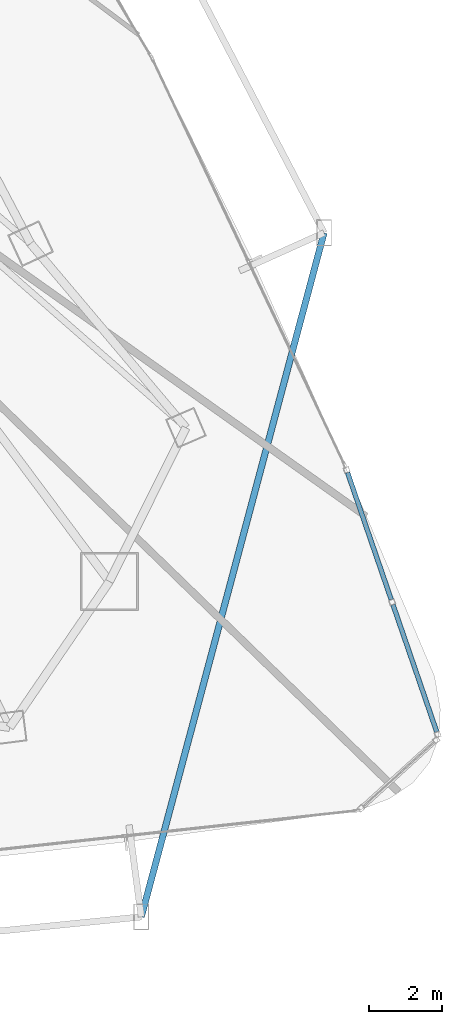
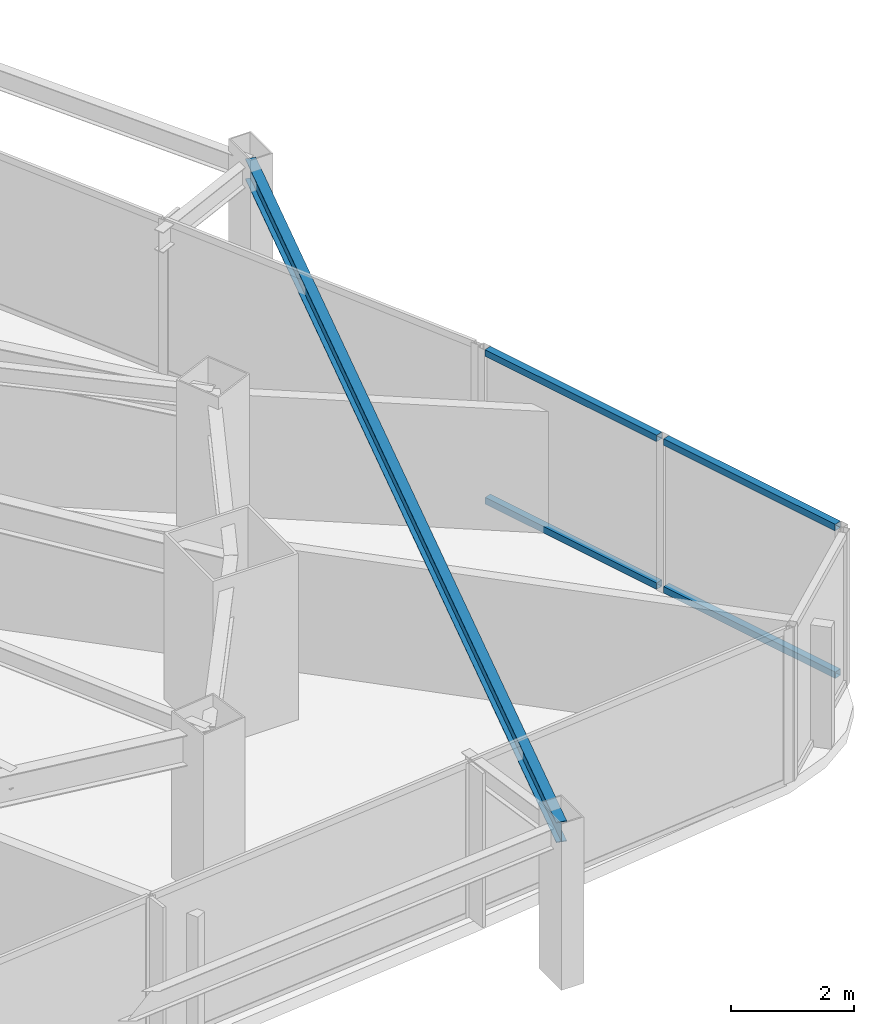
# One storey, part 15 of 34: 4 members, 1 beam, 1 element without a shape of its own.
"""IFC4 building model written with IfcOpenShell, lengths in metres."""

from ifc_helpers import new_model, si_unit, direction, frame, origin, origin_2d, place, context, subcontext, project, spatial, hollow_rectangle, i_section, extrude, material, layer, layer_set, material_profile, profile_set, type_object, element, aggregate, save


model = new_model("IFC4")

# Units and contexts
model_context = context("Model", 3, precision=1e-05, world=origin(), true_north=direction((0.0, 1.0)))
body_context = subcontext(model_context, "Body", "Model", "MODEL_VIEW")
ifc_project = project(units=[si_unit("LENGTHUNIT", "METRE"), si_unit("AREAUNIT", "SQUARE_METRE"), si_unit("VOLUMEUNIT", "CUBIC_METRE"), si_unit("PLANEANGLEUNIT", "RADIAN"), si_unit("MASSUNIT", "GRAM", prefix="KILO")], contexts=[model_context])

# Site, building, storey
site_placement = place(None, origin())
site = spatial("IfcSite", under=ifc_project, at=site_placement, CompositionType="ELEMENT")
building_placement = place(site_placement, origin())
building = spatial("IfcBuilding", under=site, at=building_placement, Name="Orvanel Arch Residences", CompositionType="ELEMENT")
storey_placement = place(building_placement, frame((0.0, 0.0, 64.25)))
storey = spatial("IfcBuildingStorey", under=building, at=storey_placement, Name="L17", CompositionType="ELEMENT", Elevation=64.25)

# Beam
ifc_material_1 = material(Name="Structural steel AS/NZS 3679.1 Grade 300 (300 MPa)", Category="steel")
ifc_material_profile_1 = material_profile(ifc_material_1, i_section(OverallWidth=0.177978515625, OverallDepth=0.406005859375, WebThickness=0.0078125, FlangeThickness=0.0126953125, at=origin_2d()), Name="410UB59.7")
ifc_profile_set_1 = profile_set([ifc_material_profile_1], Name="Structural steel AS/NZS 3679.1 Grade 300 (300 MPa)")
beam_type = type_object("IfcBeamType", Name="OB-410UB-EXT", PredefinedType="SPANDREL", material=ifc_profile_set_1)
beam_placement = place(storey_placement, frame((52.677978515625, 1.12890625, 2.85693359375), z_axis=(0.258088761653, 0.966121209325, 0.0), x_axis=(-0.966121209325, 0.258088761653, 0.0)))
element("IfcBeam", 1, at=beam_placement, inside=storey, type_object=beam_type, Name="L17 Outer Perimeter Floor Ring Beam 08", PredefinedType="SPANDREL", context=body_context, shape_type="SweptSolid", body=[
    extrude(i_section(OverallWidth=0.177978515625, OverallDepth=0.406005859375, WebThickness=0.0078125, FlangeThickness=0.0126953125, at=origin_2d()), origin(), (0.0, 0.0, 1.0), 19.4697265625),
])

# Curtain wall, members
ifc_material_2 = material(Name="Bronze-anodised aluminium AA6063-T6", Category="aluminium")
ifc_layer = layer(ifc_material_2, 0.18994140625)
ifc_layer_set = layer_set([ifc_layer], Name="Bronze-anodised aluminium AA6063-T6")
curtain_wall_type = type_object("IfcCurtainWallType", Name="CW5-CRN-SYS", PredefinedType="NOTDEFINED", material=ifc_layer_set)
curtain_wall_placement = place(storey_placement, origin())
curtain_wall = element("IfcCurtainWall", 2, at=curtain_wall_placement, inside=storey, type_object=curtain_wall_type, Name="L17 CW5-CRN-SYS Unitised Curtain Wall", PredefinedType="NOTDEFINED")
ifc_material_profile_2 = material_profile(ifc_material_2, hollow_rectangle(XDim=0.1298828125, YDim=0.1298828125, WallThickness=0.00439453125, at=origin_2d()), Name="ALU130x130x4.5")
ifc_profile_set_2 = profile_set([ifc_material_profile_2], Name="Bronze-anodised aluminium AA6063-T6")
member_type = type_object("IfcMemberType", Name="TRN-130x130", PredefinedType="USERDEFINED", material=ifc_profile_set_2)
member_1_placement = place(storey_placement, frame((60.80126953125, 6.2158203125, 0.06494140625), z_axis=(-0.325170219717, 0.945655501866, 0.0), x_axis=(-0.945655501866, -0.325170219717, 0.0)))
member_1 = element("IfcMember", 3, at=member_1_placement, type_object=member_type, Name="CW-S5 transom 1.1", ObjectType="TRANSOM", PredefinedType="USERDEFINED", context=body_context, shape_type="SweptSolid", body=[
    extrude(hollow_rectangle(XDim=0.1298828125, YDim=0.1298828125, WallThickness=0.00439453125, at=origin_2d()), origin(), (0.0, 0.0, 1.0), 3.6962890625),
])
member_2_placement = place(storey_placement, frame((60.80126953125, 6.2158203125, 2.9951171875), z_axis=(-0.325170219717, 0.945655501866, 0.0), x_axis=(-0.945655501866, -0.325170219717, 0.0)))
member_2 = element("IfcMember", 4, at=member_2_placement, type_object=member_type, Name="CW-S5 transom 1.2", ObjectType="TRANSOM", PredefinedType="USERDEFINED", context=body_context, shape_type="SweptSolid", body=[
    extrude(hollow_rectangle(XDim=0.1298828125, YDim=0.1298828125, WallThickness=0.00439453125, at=origin_2d()), origin(), (0.0, 0.0, 1.0), 3.6962890625),
])
member_3_placement = place(storey_placement, frame((59.550537109375, 9.85302734375, 0.06494140625), z_axis=(-0.325131459617, 0.945668828907, 0.0), x_axis=(-0.945668828907, -0.325131459617, 0.0)))
member_3 = element("IfcMember", 5, at=member_3_placement, type_object=member_type, Name="CW-S5 transom 2.1", ObjectType="TRANSOM", PredefinedType="USERDEFINED", context=body_context, shape_type="SweptSolid", body=[
    extrude(hollow_rectangle(XDim=0.1298828125, YDim=0.1298828125, WallThickness=0.00439453125, at=origin_2d()), origin(), (0.0, 0.0, 1.0), 3.69580078125),
])
member_4_placement = place(storey_placement, frame((59.550537109375, 9.85302734375, 2.9951171875), z_axis=(-0.325131459617, 0.945668828907, 0.0), x_axis=(-0.945668828907, -0.325131459617, 0.0)))
member_4 = element("IfcMember", 6, at=member_4_placement, type_object=member_type, Name="CW-S5 transom 2.2", ObjectType="TRANSOM", PredefinedType="USERDEFINED", context=body_context, shape_type="SweptSolid", body=[
    extrude(hollow_rectangle(XDim=0.1298828125, YDim=0.1298828125, WallThickness=0.00439453125, at=origin_2d()), origin(), (0.0, 0.0, 1.0), 3.69580078125),
])
aggregate(curtain_wall, [member_1, member_2, member_3, member_4])

save(model, "model.ifc")
